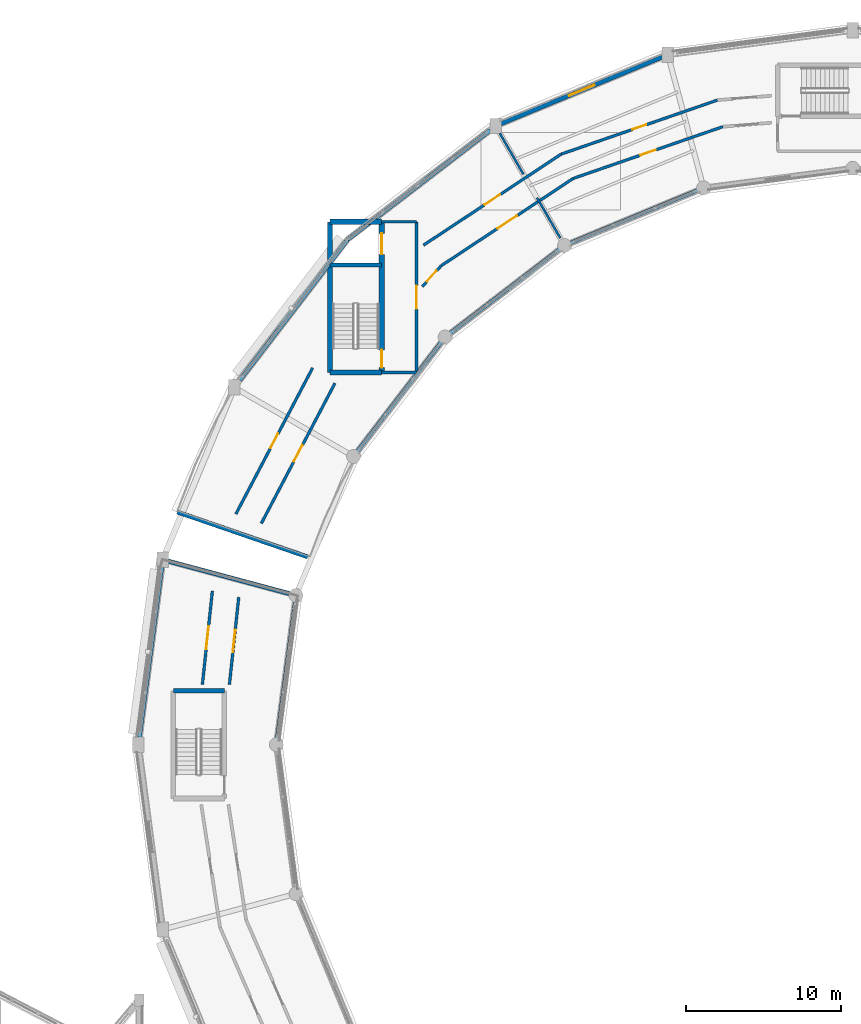
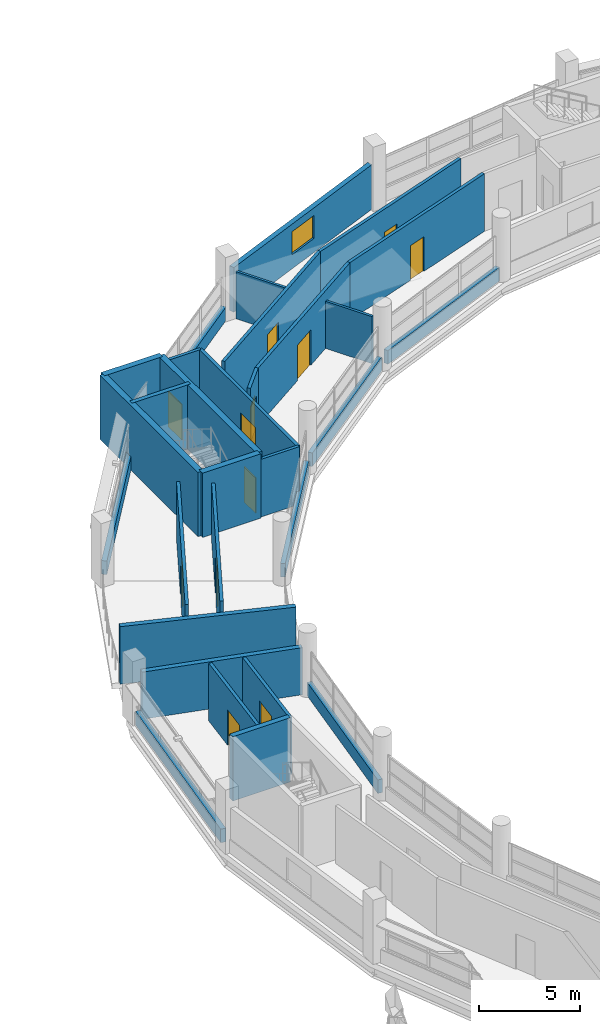
# One storey, part 103 of 121: 30 walls, 12 doors, 1 window, 13 openings.
"""IFC4 building model written with IfcOpenShell, lengths in metres."""

from ifc_helpers import new_model, si_unit, direction, frame, frame_2d, origin, place, context, subcontext, project, spatial, rectangle, extrude, material, layer, layer_set, type_object, element, fill, save


model = new_model("IFC4")

# Units and contexts
model_context = context("Model", 3, precision=1e-05, world=origin(), true_north=direction((0.0, 1.0)))
body_context = subcontext(model_context, "Body", "Model", "MODEL_VIEW")
ifc_project = project(units=[si_unit("LENGTHUNIT", "METRE"), si_unit("AREAUNIT", "SQUARE_METRE"), si_unit("VOLUMEUNIT", "CUBIC_METRE"), si_unit("PLANEANGLEUNIT", "RADIAN"), si_unit("MASSUNIT", "GRAM", prefix="KILO")], contexts=[model_context])

# Site, building, storey
site_placement = place(None, origin())
site = spatial("IfcSite", under=ifc_project, at=site_placement, CompositionType="ELEMENT")
building_placement = place(site_placement, origin())
building = spatial("IfcBuilding", under=site, at=building_placement, Name="Vespera Passage Community Centre", CompositionType="ELEMENT")
storey_placement = place(building_placement, frame((0.0, 0.0, 8.699951171875)))
storey = spatial("IfcBuildingStorey", under=building, at=storey_placement, Name="L02", CompositionType="ELEMENT", Elevation=8.699951171875)

# Wall
ifc_material_1 = material(Name="Concrete f'c 45 MPa", Category="concrete")
ifc_layer_1 = layer(ifc_material_1, 0.300048828125)
ifc_layer_set_1 = layer_set([ifc_layer_1], Name="Concrete f'c 45 MPa")
wall_type_1 = type_object("IfcWallType", Name="WT-CORE-300I", PredefinedType="SHEAR", material=ifc_layer_set_1)
wall_1_placement = place(storey_placement, frame((34.14990234375, 68.97509765625, 0.0), z_axis=(0.0, 0.0, 1.0), x_axis=(1.0, 0.0, 0.0)))
element("IfcWall", 1, at=wall_1_placement, inside=storey, type_object=wall_type_1, Name="Core C2 L02 Shear Wall RIGHT", PredefinedType="SHEAR", context=body_context, shape_type="SweptSolid", body=[
    extrude(rectangle(XDim=3.300048828125, YDim=0.300048828125, at=frame_2d((1.64990234375, 0.0))), origin(), (0.0, 0.0, 1.0), 3.900146484375),
])

# Wall, openings, doors
ifc_material_2 = material(Name="Concrete f'c 45 MPa", Category="concrete")
ifc_layer_2 = layer(ifc_material_2, 0.340087890625)
ifc_layer_set_2 = layer_set([ifc_layer_2], Name="Concrete f'c 45 MPa")
wall_type_2 = type_object("IfcWallType", Name="WT-CORE-340I", PredefinedType="SHEAR", material=ifc_layer_set_2)
wall_2_placement = place(storey_placement, frame((47.60302734375, 99.238037109375, 0.0), z_axis=(0.0, 0.0, 1.0), x_axis=(0.0, -1.0, 0.0)))
wall_2 = element("IfcWall", 2, at=wall_2_placement, inside=storey, type_object=wall_type_2, Name="Core C1 L02 Shear Wall FRONT", PredefinedType="SHEAR", context=body_context, shape_type="SweptSolid", body=[
    extrude(rectangle(XDim=9.72998046875, YDim=0.340087890625, at=frame_2d((4.864990234375, 0.0))), origin(), (0.0, 0.0, 1.0), 3.900146484375),
])
opening_1_placement = place(wall_2_placement, frame((8.264892578125, 0.0, 0.0)))
opening_1 = element("IfcOpeningElement", 3, at=opening_1_placement, cuts=wall_2, Name="Opening DT-STAIR-90", PredefinedType="OPENING", context=body_context, shape_type="SweptSolid", body=[
    extrude(rectangle(XDim=1.14990234375, YDim=2.14990234375, at=frame_2d((0.574951171875, 1.074951171875))), frame((0.0, 0.179931640625, 0.0), z_axis=(0.0, -1.0, 0.0), x_axis=(1.0, 0.0, 0.0)), (0.0, 0.0, 1.0), 0.360107421875),
])
opening_2_placement = place(wall_2_placement, frame((0.7451171875, 0.0, 0.0)))
opening_2 = element("IfcOpeningElement", 4, at=opening_2_placement, cuts=wall_2, Name="Opening DT-LIFT-135", PredefinedType="OPENING", context=body_context, shape_type="SweptSolid", body=[
    extrude(rectangle(XDim=1.35009765625, YDim=2.14990234375, at=frame_2d((0.675048828125, 1.074951171875))), frame((0.0, 0.179931640625, 0.0), z_axis=(0.0, -1.0, 0.0), x_axis=(1.0, 0.0, 0.0)), (0.0, 0.0, 1.0), 0.360107421875),
])
ifc_material_3 = material(Name="Painted hollow-metal acoustic door", Category="steel")
door_type_1 = type_object("IfcDoorType", Name="DT-LIFT-135", OperationType="NOTDEFINED", PredefinedType="DOOR", material=ifc_material_3)
door_1_placement = place(opening_2_placement, origin())
door_1 = element("IfcDoor", 5, at=door_1_placement, inside=storey, type_object=door_type_1, Name="Elevator EL-03 L02 Landing Door LD-004", OperationType="SLIDING_TO_LEFT", OverallHeight=2.14990234375, OverallWidth=1.35009765625, PredefinedType="DOOR", context=body_context, shape_type="SweptSolid", body=[
    extrude(rectangle(XDim=1.35009765625, YDim=2.14990234375, at=frame_2d((0.675048828125, 1.074951171875))), frame((0.0, 0.02490234375, 0.0), z_axis=(0.0, -1.0, 0.0), x_axis=(1.0, 0.0, 0.0)), (0.0, 0.0, 1.0), 0.050048828125),
])
fill(opening_2, door_1)
ifc_material_4 = material(Name="Painted hollow-metal acoustic door", Category="steel")
door_type_2 = type_object("IfcDoorType", Name="DT-STAIR-90", OperationType="NOTDEFINED", PredefinedType="DOOR", material=ifc_material_4)
door_2_placement = place(opening_1_placement, origin())
door_2 = element("IfcDoor", 6, at=door_2_placement, inside=storey, type_object=door_type_2, Name="Core C1 L02 Exit Stair Door D-054", OperationType="SINGLE_SWING_RIGHT", OverallHeight=2.14990234375, OverallWidth=1.14990234375, PredefinedType="DOOR", context=body_context, shape_type="SweptSolid", body=[
    extrude(rectangle(XDim=1.14990234375, YDim=2.14990234375, at=frame_2d((0.574951171875, 1.074951171875))), frame((0.0, 0.02490234375, 0.0), z_axis=(0.0, -1.0, 0.0), x_axis=(1.0, 0.0, 0.0)), (0.0, 0.0, 1.0), 0.050048828125),
])
fill(opening_1, door_2)

# Walls
wall_3_placement = place(storey_placement, frame((47.60302734375, 89.508056640625, 0.0), z_axis=(0.0, 0.0, 1.0), x_axis=(-1.0, 0.0, 0.0)))
element("IfcWall", 7, at=wall_3_placement, inside=storey, type_object=wall_type_2, Name="Core C1 L02 Shear Wall LEFT", PredefinedType="SHEAR", context=body_context, shape_type="SweptSolid", body=[
    extrude(rectangle(XDim=3.340087890625, YDim=0.340087890625, at=frame_2d((1.669921875, 0.0))), origin(), (0.0, 0.0, 1.0), 3.900146484375),
])
wall_4_placement = place(storey_placement, frame((44.262939453125, 89.508056640625, 0.0), z_axis=(0.0, 0.0, 1.0), x_axis=(0.0, 1.0, 0.0)))
element("IfcWall", 8, at=wall_4_placement, inside=storey, type_object=wall_type_2, Name="Core C1 L02 Shear Wall BACK", PredefinedType="SHEAR", context=body_context, shape_type="SweptSolid", body=[
    extrude(rectangle(XDim=9.72998046875, YDim=0.340087890625, at=frame_2d((4.864990234375, 0.0))), origin(), (0.0, 0.0, 1.0), 3.900146484375),
])
wall_5_placement = place(storey_placement, frame((44.262939453125, 99.238037109375, 0.0), z_axis=(0.0, 0.0, 1.0), x_axis=(1.0, 0.0, 0.0)))
element("IfcWall", 9, at=wall_5_placement, inside=storey, type_object=wall_type_2, Name="Core C1 L02 Shear Wall RIGHT", PredefinedType="SHEAR", context=body_context, shape_type="SweptSolid", body=[
    extrude(rectangle(XDim=3.340087890625, YDim=0.340087890625, at=frame_2d((1.669921875, 0.0))), origin(), (0.0, 0.0, 1.0), 3.900146484375),
])

# Wall, opening, door
ifc_material_5 = material(Name="Gypsum board acoustic stud partition")
ifc_layer_3 = layer(ifc_material_5, 0.179931640625)
ifc_layer_set_3 = layer_set([ifc_layer_3], Name="Gypsum board acoustic stud partition")
wall_type_3 = type_object("IfcWallType", Name="WT-CORR-180I", PredefinedType="PARTITIONING", material=ifc_layer_set_3)
wall_6_placement = place(storey_placement, frame((49.85302734375, 89.508056640625, 0.0), z_axis=(0.0, 0.0, 1.0), x_axis=(0.0, 1.0, 0.0)))
wall_6 = element("IfcWall", 10, at=wall_6_placement, inside=storey, type_object=wall_type_3, Name="Core C1 L02 Lift Lobby Front Wall", PredefinedType="PARTITIONING", context=body_context, shape_type="SweptSolid", body=[
    extrude(rectangle(XDim=9.72998046875, YDim=0.179931640625, at=frame_2d((4.864990234375, 0.0))), origin(), (0.0, 0.0, 1.0), 3.4951171875),
])
opening_3_placement = place(wall_6_placement, frame((4.114990234375, 0.0, 0.0)))
opening_3 = element("IfcOpeningElement", 11, at=opening_3_placement, cuts=wall_6, Name="Opening DT-CORR-150", PredefinedType="OPENING", context=body_context, shape_type="SweptSolid", body=[
    extrude(rectangle(XDim=1.5, YDim=2.14990234375, at=frame_2d((0.75, 1.074951171875))), frame((0.0, 0.099853515625, 0.0), z_axis=(0.0, -1.0, 0.0), x_axis=(1.0, 0.0, 0.0)), (0.0, 0.0, 1.0), 0.199951171875),
])
ifc_material_6 = material(Name="Painted hollow-metal acoustic door", Category="steel")
door_type_3 = type_object("IfcDoorType", Name="DT-CORR-150", OperationType="NOTDEFINED", PredefinedType="DOOR", material=ifc_material_6)
door_3_placement = place(opening_3_placement, origin())
door_3 = element("IfcDoor", 12, at=door_3_placement, inside=storey, type_object=door_type_3, Name="Core C1 L02 Lift Lobby Door D-055", OperationType="SINGLE_SWING_LEFT", OverallHeight=2.14990234375, OverallWidth=1.5, PredefinedType="DOOR", context=body_context, shape_type="SweptSolid", body=[
    extrude(rectangle(XDim=1.5, YDim=2.14990234375, at=frame_2d((0.75, 1.074951171875))), frame((0.0, 0.02490234375, 0.0), z_axis=(0.0, -1.0, 0.0), x_axis=(1.0, 0.0, 0.0)), (0.0, 0.0, 1.0), 0.050048828125),
])
fill(opening_3, door_3)

# Walls
for number, where, z_axis, x_axis, name in (
    (13, (47.60302734375, 89.508056640625, 0.0), (0.0, 0.0, 1.0), (1.0, 0.0, 0.0), "Core C1 L02 Lift Lobby Side Wall L"),
    (14, (47.60302734375, 99.238037109375, 0.0), (0.0, 0.0, 1.0), (1.0, 0.0, 0.0), "Core C1 L02 Lift Lobby Side Wall R"),
):
    element("IfcWall", number, at=place(storey_placement, frame(where, z_axis=z_axis, x_axis=x_axis)), inside=storey, type_object=wall_type_3, Name=name, PredefinedType="PARTITIONING", context=body_context, shape_type="SweptSolid", body=[
        extrude(rectangle(XDim=2.25, YDim=0.179931640625, at=frame_2d((1.125, 0.0))), origin(), (0.0, 0.0, 1.0), 3.4951171875),
    ])

# Wall, opening, door
wall_7_placement = place(storey_placement, frame((69.2626953125, 107.09228515625, 0.0), z_axis=(0.0, 0.0, 1.0), x_axis=(-0.945128117061, -0.326699927059, 0.0)))
wall_7 = element("IfcWall", 15, at=wall_7_placement, inside=storey, type_object=wall_type_3, Name="L02 Interior Partition V4-L02-CO08.1", PredefinedType="PARTITIONING", context=body_context, shape_type="SweptSolid", body=[
    extrude(rectangle(XDim=10.66015625, YDim=0.179931640625, at=frame_2d((5.330078125, 0.0))), origin(), (0.0, 0.0, 1.0), 3.4951171875),
])
opening_4_placement = place(wall_7_placement, frame((4.85498046875, 0.0, 0.0)))
opening_4 = element("IfcOpeningElement", 16, at=opening_4_placement, cuts=wall_7, Name="Opening DT-CORR-95", PredefinedType="OPENING", context=body_context, shape_type="SweptSolid", body=[
    extrude(rectangle(XDim=0.949951171875, YDim=2.10009765625, at=frame_2d((0.47509765625, 1.050048828125))), frame((0.0, 0.099853515625, 0.0), z_axis=(0.0, -1.0, 0.0), x_axis=(1.0, 0.0, 0.0)), (0.0, 0.0, 1.0), 0.199951171875),
])
ifc_material_7 = material(Name="Painted hollow-metal acoustic door", Category="steel")
door_type_4 = type_object("IfcDoorType", Name="DT-CORR-95", OperationType="NOTDEFINED", PredefinedType="DOOR", material=ifc_material_7)
door_4_placement = place(opening_4_placement, origin())
door_4 = element("IfcDoor", 17, at=door_4_placement, inside=storey, type_object=door_type_4, Name="L02 Interior Door D-194", OperationType="SINGLE_SWING_RIGHT", OverallHeight=2.10009765625, OverallWidth=0.949951171875, PredefinedType="DOOR", context=body_context, shape_type="SweptSolid", body=[
    extrude(rectangle(XDim=0.949951171875, YDim=2.10009765625, at=frame_2d((0.47509765625, 1.050048828125))), frame((0.0, 0.02490234375, 0.0), z_axis=(0.0, -1.0, 0.0), x_axis=(1.0, 0.0, 0.0)), (0.0, 0.0, 1.0), 0.050048828125),
])
fill(opening_4, door_4)

wall_8_placement = place(storey_placement, frame((69.62255859375, 105.379638671875, 0.0), z_axis=(0.0, 0.0, 1.0), x_axis=(-0.945125986937, -0.326706089346, 0.0)))
wall_8 = element("IfcWall", 18, at=wall_8_placement, inside=storey, type_object=wall_type_3, Name="L02 Interior Partition V4-L02-CI08.1", PredefinedType="PARTITIONING", context=body_context, shape_type="SweptSolid", body=[
    extrude(rectangle(XDim=10.22119140625, YDim=0.179931640625, at=frame_2d((5.110595703125, 0.0))), origin(), (0.0, 0.0, 1.0), 3.4951171875),
])
opening_5_placement = place(wall_8_placement, frame((4.585693359375, 0.0, 0.0)))
opening_5 = element("IfcOpeningElement", 19, at=opening_5_placement, cuts=wall_8, Name="Opening DT-CORR-105", PredefinedType="OPENING", context=body_context, shape_type="SweptSolid", body=[
    extrude(rectangle(XDim=1.050048828125, YDim=2.10009765625, at=frame_2d((0.52490234375, 1.050048828125))), frame((0.0, 0.099853515625, 0.0), z_axis=(0.0, -1.0, 0.0), x_axis=(1.0, 0.0, 0.0)), (0.0, 0.0, 1.0), 0.199951171875),
])
ifc_material_8 = material(Name="Painted hollow-metal acoustic door", Category="steel")
door_type_5 = type_object("IfcDoorType", Name="DT-CORR-105", OperationType="NOTDEFINED", PredefinedType="DOOR", material=ifc_material_8)
door_5_placement = place(opening_5_placement, origin())
door_5 = element("IfcDoor", 20, at=door_5_placement, inside=storey, type_object=door_type_5, Name="L02 Interior Door D-195", OperationType="SINGLE_SWING_LEFT", OverallHeight=2.10009765625, OverallWidth=1.050048828125, PredefinedType="DOOR", context=body_context, shape_type="SweptSolid", body=[
    extrude(rectangle(XDim=1.050048828125, YDim=2.10009765625, at=frame_2d((0.52490234375, 1.050048828125))), frame((0.0, 0.02490234375, 0.0), z_axis=(0.0, -1.0, 0.0), x_axis=(1.0, 0.0, 0.0)), (0.0, 0.0, 1.0), 0.050048828125),
])
fill(opening_5, door_5)

wall_9_placement = place(storey_placement, frame((59.1875, 103.609619140625, 0.0), z_axis=(0.0, 0.0, 1.0), x_axis=(-0.83410576673, -0.551604541232, 0.0)))
wall_9 = element("IfcWall", 21, at=wall_9_placement, inside=storey, type_object=wall_type_3, Name="L02 Interior Partition V4-L02-CO09.1", PredefinedType="PARTITIONING", context=body_context, shape_type="SweptSolid", body=[
    extrude(rectangle(XDim=10.66015625, YDim=0.179931640625, at=frame_2d((5.330078125, 0.0))), origin(), (0.0, 0.0, 1.0), 3.4951171875),
])
opening_6_placement = place(wall_9_placement, frame((4.72998046875, 0.0, 0.0)))
opening_6 = element("IfcOpeningElement", 22, at=opening_6_placement, cuts=wall_9, Name="Opening DT-CORR-120", PredefinedType="OPENING", context=body_context, shape_type="SweptSolid", body=[
    extrude(rectangle(XDim=1.199951171875, YDim=2.14990234375, at=frame_2d((0.60009765625, 1.074951171875))), frame((0.0, 0.099853515625, 0.0), z_axis=(0.0, -1.0, 0.0), x_axis=(1.0, 0.0, 0.0)), (0.0, 0.0, 1.0), 0.199951171875),
])
ifc_material_9 = material(Name="Painted hollow-metal acoustic door", Category="steel")
door_type_6 = type_object("IfcDoorType", Name="DT-CORR-120", OperationType="NOTDEFINED", PredefinedType="DOOR", material=ifc_material_9)
door_6_placement = place(opening_6_placement, origin())
door_6 = element("IfcDoor", 23, at=door_6_placement, inside=storey, type_object=door_type_6, Name="L02 Interior Door D-196", OperationType="SINGLE_SWING_RIGHT", OverallHeight=2.14990234375, OverallWidth=1.199951171875, PredefinedType="DOOR", context=body_context, shape_type="SweptSolid", body=[
    extrude(rectangle(XDim=1.199951171875, YDim=2.14990234375, at=frame_2d((0.60009765625, 1.074951171875))), frame((0.0, 0.02490234375, 0.0), z_axis=(0.0, -1.0, 0.0), x_axis=(1.0, 0.0, 0.0)), (0.0, 0.0, 1.0), 0.050048828125),
])
fill(opening_6, door_6)

wall_10_placement = place(storey_placement, frame((59.962158203125, 102.040283203125, 0.0), z_axis=(0.0, 0.0, 1.0), x_axis=(-0.834106110732, -0.551604021052, 0.0)))
wall_10 = element("IfcWall", 24, at=wall_10_placement, inside=storey, type_object=wall_type_3, Name="L02 Interior Partition V4-L02-CI09.1", PredefinedType="PARTITIONING", context=body_context, shape_type="SweptSolid", body=[
    extrude(rectangle(XDim=10.220947265625, YDim=0.179931640625, at=frame_2d((5.1103515625, 0.0))), origin(), (0.0, 0.0, 1.0), 3.4951171875),
])
opening_7_placement = place(wall_10_placement, frame((4.360595703125, 0.0, 0.0)))
opening_7 = element("IfcOpeningElement", 25, at=opening_7_placement, cuts=wall_10, Name="Opening DT-CORR-150", PredefinedType="OPENING", context=body_context, shape_type="SweptSolid", body=[
    extrude(rectangle(XDim=1.5, YDim=2.14990234375, at=frame_2d((0.75, 1.074951171875))), frame((0.0, 0.099853515625, 0.0), z_axis=(0.0, -1.0, 0.0), x_axis=(1.0, 0.0, 0.0)), (0.0, 0.0, 1.0), 0.199951171875),
])
door_7_placement = place(opening_7_placement, origin())
door_7 = element("IfcDoor", 26, at=door_7_placement, inside=storey, type_object=door_type_3, Name="L02 Interior Door D-197", OperationType="SINGLE_SWING_LEFT", OverallHeight=2.14990234375, OverallWidth=1.5, PredefinedType="DOOR", context=body_context, shape_type="SweptSolid", body=[
    extrude(rectangle(XDim=1.5, YDim=2.14990234375, at=frame_2d((0.75, 1.074951171875))), frame((0.0, 0.02490234375, 0.0), z_axis=(0.0, -1.0, 0.0), x_axis=(1.0, 0.0, 0.0)), (0.0, 0.0, 1.0), 0.050048828125),
])
fill(opening_7, door_7)

wall_11_placement = place(storey_placement, frame((51.436767578125, 96.40234375, 0.0), z_axis=(0.0, 0.0, 1.0), x_axis=(-0.670669578771, -0.741756237663, 0.0)))
wall_11 = element("IfcWall", 27, at=wall_11_placement, inside=storey, type_object=wall_type_3, Name="L02 Interior Partition V4-L02-CI10.1", PredefinedType="PARTITIONING", context=body_context, shape_type="SweptSolid", body=[
    extrude(rectangle(XDim=1.809814453125, YDim=0.179931640625, at=frame_2d((0.90478515625, 0.0))), origin(), (0.0, 0.0, 1.0), 3.4951171875),
])
opening_8_placement = place(wall_11_placement, frame((0.429931640625, 0.0, 0.0)))
opening_8 = element("IfcOpeningElement", 28, at=opening_8_placement, cuts=wall_11, Name="Opening DT-CORR-95", PredefinedType="OPENING", context=body_context, shape_type="SweptSolid", body=[
    extrude(rectangle(XDim=0.949951171875, YDim=2.10009765625, at=frame_2d((0.47509765625, 1.050048828125))), frame((0.0, 0.099853515625, 0.0), z_axis=(0.0, -1.0, 0.0), x_axis=(1.0, 0.0, 0.0)), (0.0, 0.0, 1.0), 0.199951171875),
])
door_8_placement = place(opening_8_placement, origin())
door_8 = element("IfcDoor", 29, at=door_8_placement, inside=storey, type_object=door_type_4, Name="L02 Interior Door D-198", OperationType="SINGLE_SWING_RIGHT", OverallHeight=2.10009765625, OverallWidth=0.949951171875, PredefinedType="DOOR", context=body_context, shape_type="SweptSolid", body=[
    extrude(rectangle(XDim=0.949951171875, YDim=2.10009765625, at=frame_2d((0.47509765625, 1.050048828125))), frame((0.0, 0.02490234375, 0.0), z_axis=(0.0, -1.0, 0.0), x_axis=(1.0, 0.0, 0.0)), (0.0, 0.0, 1.0), 0.050048828125),
])
fill(opening_8, door_8)

wall_12_placement = place(storey_placement, frame((43.1474609375, 89.82177734375, 0.0), z_axis=(0.0, 0.0, 1.0), x_axis=(-0.46491558655, -0.885355012062, 0.0)))
wall_12 = element("IfcWall", 30, at=wall_12_placement, inside=storey, type_object=wall_type_3, Name="L02 Interior Partition V4-L02-CO11.1", PredefinedType="PARTITIONING", context=body_context, shape_type="SweptSolid", body=[
    extrude(rectangle(XDim=10.66015625, YDim=0.179931640625, at=frame_2d((5.330078125, 0.0))), origin(), (0.0, 0.0, 1.0), 3.4951171875),
])
opening_9_placement = place(wall_12_placement, frame((4.804931640625, 0.0, 0.0)))
opening_9 = element("IfcOpeningElement", 31, at=opening_9_placement, cuts=wall_12, Name="Opening DT-CORR-105", PredefinedType="OPENING", context=body_context, shape_type="SweptSolid", body=[
    extrude(rectangle(XDim=1.050048828125, YDim=2.10009765625, at=frame_2d((0.52490234375, 1.050048828125))), frame((0.0, 0.099853515625, 0.0), z_axis=(0.0, -1.0, 0.0), x_axis=(1.0, 0.0, 0.0)), (0.0, 0.0, 1.0), 0.199951171875),
])
door_9_placement = place(opening_9_placement, origin())
door_9 = element("IfcDoor", 32, at=door_9_placement, inside=storey, type_object=door_type_5, Name="L02 Interior Door D-199", OperationType="SINGLE_SWING_LEFT", OverallHeight=2.10009765625, OverallWidth=1.050048828125, PredefinedType="DOOR", context=body_context, shape_type="SweptSolid", body=[
    extrude(rectangle(XDim=1.050048828125, YDim=2.10009765625, at=frame_2d((0.52490234375, 1.050048828125))), frame((0.0, 0.02490234375, 0.0), z_axis=(0.0, -1.0, 0.0), x_axis=(1.0, 0.0, 0.0)), (0.0, 0.0, 1.0), 0.050048828125),
])
fill(opening_9, door_9)

wall_13_placement = place(storey_placement, frame((44.58251953125, 88.8203125, 0.0), z_axis=(0.0, 0.0, 1.0), x_axis=(-0.464915350199, -0.885355136174, 0.0)))
wall_13 = element("IfcWall", 33, at=wall_13_placement, inside=storey, type_object=wall_type_3, Name="L02 Interior Partition V4-L02-CI11.1", PredefinedType="PARTITIONING", context=body_context, shape_type="SweptSolid", body=[
    extrude(rectangle(XDim=10.22119140625, YDim=0.179931640625, at=frame_2d((5.110595703125, 0.0))), origin(), (0.0, 0.0, 1.0), 3.4951171875),
])
opening_10_placement = place(wall_13_placement, frame((4.510498046875, 0.0, 0.0)))
opening_10 = element("IfcOpeningElement", 34, at=opening_10_placement, cuts=wall_13, Name="Opening DT-CORR-120", PredefinedType="OPENING", context=body_context, shape_type="SweptSolid", body=[
    extrude(rectangle(XDim=1.199951171875, YDim=2.14990234375, at=frame_2d((0.60009765625, 1.074951171875))), frame((0.0, 0.099853515625, 0.0), z_axis=(0.0, -1.0, 0.0), x_axis=(1.0, 0.0, 0.0)), (0.0, 0.0, 1.0), 0.199951171875),
])
door_10_placement = place(opening_10_placement, origin())
door_10 = element("IfcDoor", 35, at=door_10_placement, inside=storey, type_object=door_type_6, Name="L02 Interior Door D-200", OperationType="SINGLE_SWING_RIGHT", OverallHeight=2.14990234375, OverallWidth=1.199951171875, PredefinedType="DOOR", context=body_context, shape_type="SweptSolid", body=[
    extrude(rectangle(XDim=1.199951171875, YDim=2.14990234375, at=frame_2d((0.60009765625, 1.074951171875))), frame((0.0, 0.02490234375, 0.0), z_axis=(0.0, -1.0, 0.0), x_axis=(1.0, 0.0, 0.0)), (0.0, 0.0, 1.0), 0.050048828125),
])
fill(opening_10, door_10)

wall_14_placement = place(storey_placement, frame((36.67431640625, 75.42138671875, 0.0), z_axis=(0.0, 0.0, 1.0), x_axis=(-0.106195719011, -0.994345246513, 0.0)))
wall_14 = element("IfcWall", 36, at=wall_14_placement, inside=storey, type_object=wall_type_3, Name="L02 Interior Partition V4-L02-CO12.1", PredefinedType="PARTITIONING", context=body_context, shape_type="SweptSolid", body=[
    extrude(rectangle(XDim=6.080810546875, YDim=0.179931640625, at=frame_2d((3.04052734375, 0.0))), origin(), (0.0, 0.0, 1.0), 3.4951171875),
])
opening_11_placement = place(wall_14_placement, frame((2.290283203125, 0.0, 0.0)))
opening_11 = element("IfcOpeningElement", 37, at=opening_11_placement, cuts=wall_14, Name="Opening DT-CORR-150", PredefinedType="OPENING", context=body_context, shape_type="SweptSolid", body=[
    extrude(rectangle(XDim=1.5, YDim=2.14990234375, at=frame_2d((0.75, 1.074951171875))), frame((0.0, 0.099853515625, 0.0), z_axis=(0.0, -1.0, 0.0), x_axis=(1.0, 0.0, 0.0)), (0.0, 0.0, 1.0), 0.199951171875),
])
door_11_placement = place(opening_11_placement, origin())
door_11 = element("IfcDoor", 38, at=door_11_placement, inside=storey, type_object=door_type_3, Name="L02 Interior Door D-201", OperationType="SINGLE_SWING_LEFT", OverallHeight=2.14990234375, OverallWidth=1.5, PredefinedType="DOOR", context=body_context, shape_type="SweptSolid", body=[
    extrude(rectangle(XDim=1.5, YDim=2.14990234375, at=frame_2d((0.75, 1.074951171875))), frame((0.0, 0.02490234375, 0.0), z_axis=(0.0, -1.0, 0.0), x_axis=(1.0, 0.0, 0.0)), (0.0, 0.0, 1.0), 0.050048828125),
])
fill(opening_11, door_11)

wall_15_placement = place(storey_placement, frame((38.3759765625, 75.012939453125, 0.0), z_axis=(0.0, 0.0, 1.0), x_axis=(-0.106224489748, -0.994342173388, 0.0)))
wall_15 = element("IfcWall", 39, at=wall_15_placement, inside=storey, type_object=wall_type_3, Name="L02 Interior Partition V4-L02-CI12.1", PredefinedType="PARTITIONING", context=body_context, shape_type="SweptSolid", body=[
    extrude(rectangle(XDim=5.669921875, YDim=0.179931640625, at=frame_2d((2.8349609375, 0.0))), origin(), (0.0, 0.0, 1.0), 3.4951171875),
])
opening_12_placement = place(wall_15_placement, frame((2.110107421875, 0.0, 0.0)))
opening_12 = element("IfcOpeningElement", 40, at=opening_12_placement, cuts=wall_15, Name="Opening DT-PLANT-145", PredefinedType="OPENING", context=body_context, shape_type="SweptSolid", body=[
    extrude(rectangle(XDim=1.449951171875, YDim=2.199951171875, at=frame_2d((0.72509765625, 1.10009765625))), frame((0.0, 0.099853515625, 0.0), z_axis=(0.0, -1.0, 0.0), x_axis=(1.0, 0.0, 0.0)), (0.0, 0.0, 1.0), 0.199951171875),
])
ifc_material_10 = material(Name="Painted hollow-metal acoustic door", Category="steel")
door_type_7 = type_object("IfcDoorType", Name="DT-PLANT-145", OperationType="NOTDEFINED", PredefinedType="DOOR", material=ifc_material_10)
door_12_placement = place(opening_12_placement, origin())
door_12 = element("IfcDoor", 41, at=door_12_placement, inside=storey, type_object=door_type_7, Name="L02 Interior Door D-202", OperationType="SINGLE_SWING_RIGHT", OverallHeight=2.199951171875, OverallWidth=1.449951171875, PredefinedType="DOOR", context=body_context, shape_type="SweptSolid", body=[
    extrude(rectangle(XDim=1.449951171875, YDim=2.199951171875, at=frame_2d((0.72509765625, 1.10009765625))), frame((0.0, 0.02490234375, 0.0), z_axis=(0.0, -1.0, 0.0), x_axis=(1.0, 0.0, 0.0)), (0.0, 0.0, 1.0), 0.050048828125),
])
fill(opening_12, door_12)

# Walls
ifc_material_11 = material(Name="Concrete f'c 45 MPa", Category="concrete")
ifc_layer_4 = layer(ifc_material_11, 0.239990234375)
ifc_layer_set_4 = layer_set([ifc_layer_4], Name="Concrete f'c 45 MPa")
wall_type_4 = type_object("IfcWallType", Name="WT-DIV-240I", PredefinedType="SHEAR", material=ifc_layer_set_4)
wall_16_placement = place(storey_placement, frame((47.60302734375, 96.447998046875, 0.0), z_axis=(0.0, 0.0, 1.0), x_axis=(-1.0, 0.0, 0.0)))
element("IfcWall", 42, at=wall_16_placement, inside=storey, type_object=wall_type_4, Name="Core C1 L02 Hoistway Divider Wall", PredefinedType="SHEAR", context=body_context, shape_type="SweptSolid", body=[
    extrude(rectangle(XDim=3.340087890625, YDim=0.239990234375, at=frame_2d((1.669921875, 0.0))), origin(), (0.0, 0.0, 1.0), 3.900146484375),
])
ifc_material_12 = material(Name="Precast concrete f'c 40 MPa", Category="concrete")
ifc_layer_5 = layer(ifc_material_12, 0.25)
ifc_layer_set_5 = layer_set([ifc_layer_5], Name="Precast concrete f'c 40 MPa")
wall_type_5 = type_object("IfcWallType", Name="WT-EXT-250E", PredefinedType="STANDARD", material=ifc_layer_set_5)
wall_17_placement = place(storey_placement, frame((68.094970703125, 101.317626953125, 0.0), z_axis=(0.0, 0.0, 1.0), x_axis=(-0.923880324771, -0.382681519675, 0.0)))
element("IfcWall", 43, at=wall_17_placement, inside=storey, type_object=wall_type_5, Name="V4 L02 Court Spandrel Wall I7", PredefinedType="STANDARD", context=body_context, shape_type="SweptSolid", body=[
    extrude(rectangle(XDim=9.111572265625, YDim=0.25, at=frame_2d((4.5556640625, 0.0))), origin(), (0.0, 0.0, 1.0), 0.820068359375),
])
for number, where, z_axis, x_axis, name in (
    (44, (59.119873046875, 97.501220703125, 0.0), (0.0, 0.0, 1.0), (-0.793347085527, -0.608769580289, 0.0), "V4 L02 Court Spandrel Wall I8"),
    (45, (51.480712890625, 91.524169921875, 0.0), (0.0, 0.0, 1.0), (-0.608769580289, -0.793347085527, 0.0), "V4 L02 Court Spandrel Wall I9"),
):
    element("IfcWall", number, at=place(storey_placement, frame(where, z_axis=z_axis, x_axis=x_axis)), inside=storey, type_object=wall_type_5, Name=name, PredefinedType="STANDARD", context=body_context, shape_type="SweptSolid", body=[
        extrude(rectangle(XDim=9.0048828125, YDim=0.25, at=frame_2d((4.50244140625, 0.0))), origin(), (0.0, 0.0, 1.0), 0.820068359375),
    ])
wall_18_placement = place(storey_placement, frame((42.031494140625, 74.852783203125, 0.0), z_axis=(0.0, 0.0, 1.0), x_axis=(-0.130549698469, -0.991441766434, 0.0)))
element("IfcWall", 46, at=wall_18_placement, inside=storey, type_object=wall_type_5, Name="V4 L02 Court Spandrel Wall I11", PredefinedType="STANDARD", context=body_context, shape_type="SweptSolid", body=[
    extrude(rectangle(XDim=9.156005859375, YDim=0.25, at=frame_2d((4.578125, 0.0))), origin(), (0.0, 0.0, 1.0), 0.820068359375),
])

# Wall, opening, window
ifc_material_13 = material(Name="Precast concrete f'c 40 MPa", Category="concrete")
ifc_layer_6 = layer(ifc_material_13, 0.280029296875)
ifc_layer_set_6 = layer_set([ifc_layer_6], Name="Precast concrete f'c 40 MPa")
wall_type_6 = type_object("IfcWallType", Name="WT-EXT-280E", PredefinedType="STANDARD", material=ifc_layer_set_6)
wall_19_placement = place(storey_placement, frame((55.302001953125, 105.569580078125, 0.0), z_axis=(0.0, 0.0, 1.0), x_axis=(0.923883530636, 0.382673779896, 0.0)))
wall_19 = element("IfcWall", 47, at=wall_19_placement, inside=storey, type_object=wall_type_6, Name="V4 L02 Outer Precast Wall 7", PredefinedType="STANDARD", context=body_context, shape_type="SweptSolid", body=[
    extrude(rectangle(XDim=11.2724609375, YDim=0.280029296875, at=frame_2d((5.63623046875, 0.0))), origin(), (0.0, 0.0, 1.0), 2.70556640625),
])
opening_13_placement = place(wall_19_placement, frame((4.736328125, 0.0, 0.85009765625)))
opening_13 = element("IfcOpeningElement", 48, at=opening_13_placement, cuts=wall_19, Name="Opening WN-06E", PredefinedType="OPENING", context=body_context, shape_type="SweptSolid", body=[
    extrude(rectangle(XDim=1.800048828125, YDim=1.39990234375, at=frame_2d((0.89990234375, 0.699951171875))), frame((0.0, 0.150146484375, 0.0), z_axis=(0.0, -1.0, 0.0), x_axis=(1.0, 0.0, 0.0)), (0.0, 0.0, 1.0), 0.300048828125),
])
ifc_material_14 = material(Name="Low-E insulated vision glass", Category="glass")
window_type = type_object("IfcWindowType", Name="WN-06E", PartitioningType="SINGLE_PANEL", PredefinedType="WINDOW", material=ifc_material_14)
window_placement = place(opening_13_placement, origin())
window = element("IfcWindow", 49, at=window_placement, inside=storey, type_object=window_type, Name="Window WN-V4-L02-O07", OverallHeight=1.39990234375, OverallWidth=1.800048828125, PartitioningType="SINGLE_PANEL", PredefinedType="WINDOW", context=body_context, shape_type="SweptSolid", body=[
    extrude(rectangle(XDim=1.800048828125, YDim=1.39990234375, at=frame_2d((0.89990234375, 0.699951171875))), frame((0.0, 0.030029296875, 0.0), z_axis=(0.0, -1.0, 0.0), x_axis=(1.0, 0.0, 0.0)), (0.0, 0.0, 1.0), 0.06005859375),
])
fill(opening_13, window)

# Walls
wall_20_placement = place(storey_placement, frame((45.40234375, 98.09765625, 0.0), z_axis=(0.0, 0.0, 1.0), x_axis=(0.793347191248, 0.608769442514, 0.0)))
element("IfcWall", 50, at=wall_20_placement, inside=storey, type_object=wall_type_6, Name="V4 L02 Spandrel Wall O8", PredefinedType="STANDARD", context=body_context, shape_type="SweptSolid", body=[
    extrude(rectangle(XDim=11.5869140625, YDim=0.280029296875, at=frame_2d((5.79345703125, 0.0))), origin(), (0.0, 0.0, 1.0), 0.820068359375),
])
wall_21_placement = place(storey_placement, frame((38.43603515625, 89.018798828125, 0.0), z_axis=(0.0, 0.0, 1.0), x_axis=(0.608753523874, 0.793359406052, 0.0)))
element("IfcWall", 51, at=wall_21_placement, inside=storey, type_object=wall_type_6, Name="V4 L02 Spandrel Wall O9", PredefinedType="STANDARD", context=body_context, shape_type="SweptSolid", body=[
    extrude(rectangle(XDim=11.443603515625, YDim=0.280029296875, at=frame_2d((5.7216796875, 0.0))), origin(), (0.0, 0.0, 1.0), 0.820068359375),
])
wall_22_placement = place(storey_placement, frame((31.962646484375, 65.97509765625, 0.0), z_axis=(0.0, 0.0, 1.0), x_axis=(0.130513242145, 0.991446566197, 0.0)))
element("IfcWall", 52, at=wall_22_placement, inside=storey, type_object=wall_type_6, Name="V4 L02 Spandrel Wall O11", PredefinedType="STANDARD", context=body_context, shape_type="SweptSolid", body=[
    extrude(rectangle(XDim=11.075927734375, YDim=0.280029296875, at=frame_2d((5.5380859375, 0.0))), origin(), (0.0, 0.0, 1.0), 0.820068359375),
])
wall_23_placement = place(storey_placement, frame((42.82666015625, 77.611083984375, 0.0), z_axis=(0.0, 0.0, 1.0), x_axis=(-0.945512530801, 0.325585709298, 0.0)))
element("IfcWall", 53, at=wall_23_placement, inside=storey, type_object=wall_type_6, Name="V4 L02 Radial End Facade Wall SLOT1", PredefinedType="STANDARD", context=body_context, shape_type="SweptSolid", body=[
    extrude(rectangle(XDim=8.89990234375, YDim=0.280029296875, at=frame_2d((4.449951171875, 0.0))), origin(), (0.0, 0.0, 1.0), 3.489990234375),
])
wall_24_placement = place(storey_placement, frame((33.82177734375, 77.337646484375, 0.0), z_axis=(0.0, 0.0, 1.0), x_axis=(0.965919918576, -0.258841091981, 0.0)))
element("IfcWall", 54, at=wall_24_placement, inside=storey, type_object=wall_type_6, Name="V4 L02 Radial End Facade Wall SLOT2", PredefinedType="STANDARD", context=body_context, shape_type="SweptSolid", body=[
    extrude(rectangle(XDim=8.251220703125, YDim=0.280029296875, at=frame_2d((4.12548828125, 0.0))), origin(), (0.0, 0.0, 1.0), 2.856689453125),
])
ifc_material_15 = material(Name="Gypsum board acoustic stud partition")
ifc_layer_7 = layer(ifc_material_15, 0.139892578125)
ifc_layer_set_7 = layer_set([ifc_layer_7], Name="Gypsum board acoustic stud partition")
wall_type_7 = type_object("IfcWallType", Name="WT-ROOM-140I", PredefinedType="PARTITIONING", material=ifc_layer_set_7)
wall_25_placement = place(storey_placement, frame((56.75, 102.30615234375, 0.0), z_axis=(0.0, 0.0, 1.0), x_axis=(-0.499978833458, 0.866037623948, 0.0)))
element("IfcWall", 55, at=wall_25_placement, inside=storey, type_object=wall_type_7, Name="L02 Interior Partition V4-L02-RO11-4.1", PredefinedType="PARTITIONING", context=body_context, shape_type="SweptSolid", body=[
    extrude(rectangle(XDim=3.050048828125, YDim=0.139892578125, at=frame_2d((1.52490234375, 0.0))), origin(), (0.0, 0.0, 1.0), 2.856689453125),
])
wall_26_placement = place(storey_placement, frame((59.125, 98.1923828125, 0.0), z_axis=(0.0, 0.0, 1.0), x_axis=(-0.499990139034, 0.866031096941, 0.0)))
element("IfcWall", 56, at=wall_26_placement, inside=storey, type_object=wall_type_7, Name="L02 Interior Partition V4-L02-RI11-4.1", PredefinedType="PARTITIONING", context=body_context, shape_type="SweptSolid", body=[
    extrude(rectangle(XDim=3.0, YDim=0.139892578125, at=frame_2d((1.5, 0.0))), origin(), (0.0, 0.0, 1.0), 2.856689453125),
])

save(model, "model.ifc")
